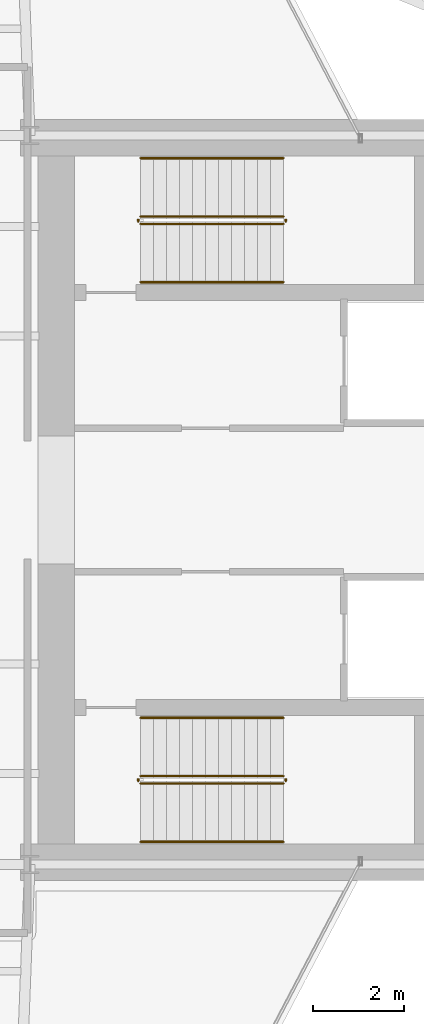
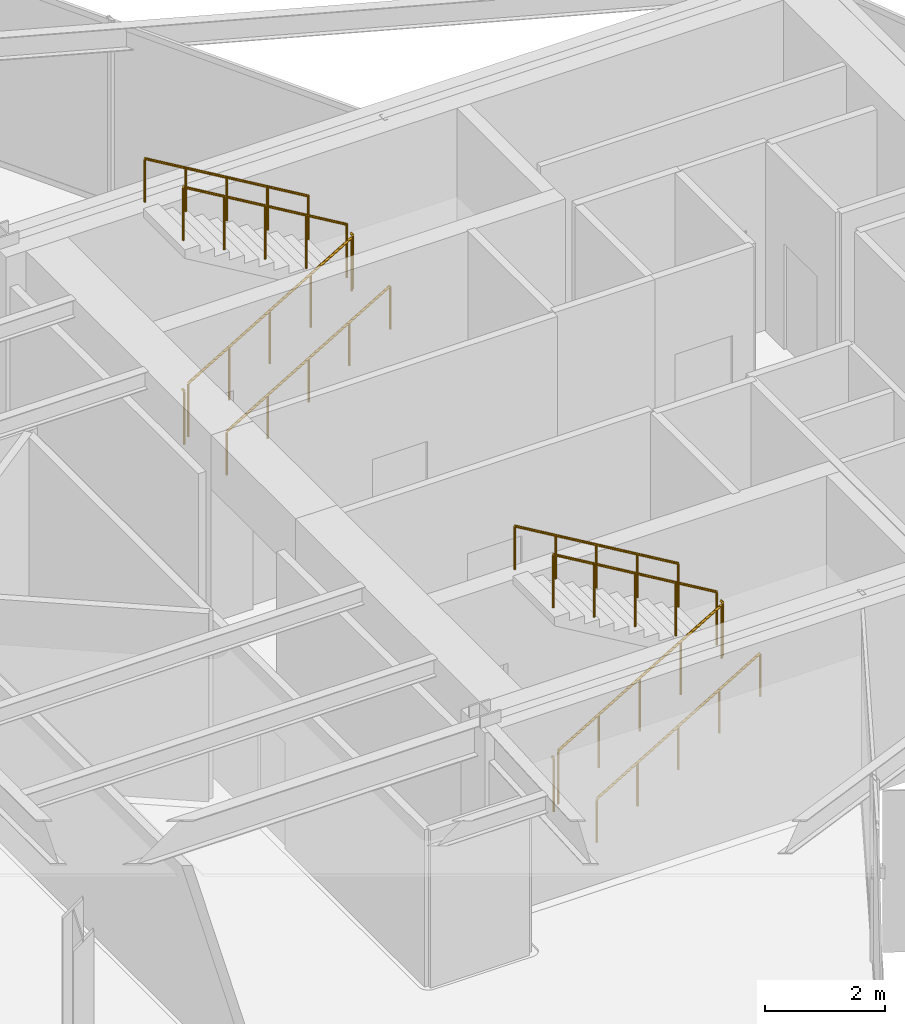
# One storey, part 25 of 25: 12 railings.
"""IFC4 building model written with IfcOpenShell, lengths in metres."""

from ifc_helpers import new_model, si_unit, direction, frame, origin, origin_2d, place, context, subcontext, project, spatial, circle, extrude, material, type_object, element, save


model = new_model("IFC4")

# Units and contexts
model_context = context("Model", 3, precision=1e-05, world=origin(), true_north=direction((0.0, 1.0)))
body_context = subcontext(model_context, "Body", "Model", "MODEL_VIEW")
ifc_project = project(units=[si_unit("LENGTHUNIT", "METRE"), si_unit("AREAUNIT", "SQUARE_METRE"), si_unit("VOLUMEUNIT", "CUBIC_METRE"), si_unit("PLANEANGLEUNIT", "RADIAN"), si_unit("MASSUNIT", "GRAM", prefix="KILO")], contexts=[model_context])

# Site, building, storey
site_placement = place(None, origin())
site = spatial("IfcSite", under=ifc_project, at=site_placement, CompositionType="ELEMENT")
building_placement = place(site_placement, origin())
building = spatial("IfcBuilding", under=site, at=building_placement, Name="Veymaron Broadcast Tower", CompositionType="ELEMENT")
storey_placement = place(building_placement, frame((0.0, 0.0, 145.199951171875)))
storey = spatial("IfcBuildingStorey", under=building, at=storey_placement, Name="L33", CompositionType="ELEMENT", Elevation=145.199951171875)

# Railings
ifc_material_1 = material(Name="Brushed stainless steel AISI 304", Category="steel")
railing_type_1 = type_object("IfcRailingType", Name="RAIL-STAIR-HR", PredefinedType="HANDRAIL", material=ifc_material_1)
railing_1_placement = place(storey_placement, frame((41.429931640625, 28.780029296875, 0.168701171875)))
element("IfcRailing", 1, at=railing_1_placement, inside=storey, type_object=railing_type_1, Name="L33 ST1 stair handrail 1", PredefinedType="HANDRAIL", context=body_context, shape_type="SweptSolid", body=[
    extrude(circle(Radius=0.02392578125, at=origin_2d()), frame((0.0, 0.0, 0.8759765625), z_axis=(0.860452582533, 0.0, 0.509530522356), x_axis=(0.0, 1.0, 0.0)), (0.0, 0.0, 1.0), 3.6435546875),
    extrude(circle(Radius=0.02099609375, at=origin_2d()), origin(), (0.0, 0.0, 1.0), 0.851806640625),
    extrude(circle(Radius=0.02099609375, at=origin_2d()), frame((0.78369140625, 0.0, 0.464111328125)), (0.0, 0.0, 1.0), 0.851806640625),
    extrude(circle(Radius=0.02099609375, at=origin_2d()), frame((1.5673828125, 0.0, 0.92822265625)), (0.0, 0.0, 1.0), 0.851806640625),
    extrude(circle(Radius=0.02099609375, at=origin_2d()), frame((2.351318359375, 0.0, 1.392333984375)), (0.0, 0.0, 1.0), 0.851806640625),
    extrude(circle(Radius=0.02099609375, at=origin_2d()), frame((3.135009765625, 0.0, 1.8564453125)), (0.0, 0.0, 1.0), 0.851806640625),
])
railing_2_placement = place(storey_placement, frame((44.56494140625, 31.5, 2.19384765625)))
element("IfcRailing", 2, at=railing_2_placement, inside=storey, type_object=railing_type_1, Name="L33 ST1 stair handrail 2", PredefinedType="HANDRAIL", context=body_context, shape_type="SweptSolid", body=[
    extrude(circle(Radius=0.02392578125, at=origin_2d()), frame((0.0, 0.0, 0.8759765625), z_axis=(-0.860481960309, 0.0, 0.509480908359), x_axis=(0.0, -1.0, 0.0)), (0.0, 0.0, 1.0), 3.643310546875),
    extrude(circle(Radius=0.02099609375, at=origin_2d()), origin(), (0.0, 0.0, 1.0), 0.851806640625),
    extrude(circle(Radius=0.02099609375, at=origin_2d()), frame((-0.78369140625, 0.0, 0.464111328125)), (0.0, 0.0, 1.0), 0.851806640625),
    extrude(circle(Radius=0.02099609375, at=origin_2d()), frame((-1.5673828125, 0.0, 0.92822265625)), (0.0, 0.0, 1.0), 0.851806640625),
    extrude(circle(Radius=0.02099609375, at=origin_2d()), frame((-2.351318359375, 0.0, 1.39208984375)), (0.0, 0.0, 1.0), 0.851806640625),
    extrude(circle(Radius=0.02099609375, at=origin_2d()), frame((-3.135009765625, 0.0, 1.856201171875)), (0.0, 0.0, 1.0), 0.851806640625),
])
railing_3_placement = place(storey_placement, frame((41.429931640625, 16.5, 0.168701171875)))
element("IfcRailing", 3, at=railing_3_placement, inside=storey, type_object=railing_type_1, Name="L33 ST2 stair handrail 1", PredefinedType="HANDRAIL", context=body_context, shape_type="SweptSolid", body=[
    extrude(circle(Radius=0.02392578125, at=origin_2d()), frame((0.0, 0.0, 0.8759765625), z_axis=(0.860452582533, 0.0, 0.509530522356), x_axis=(0.0, 1.0, 0.0)), (0.0, 0.0, 1.0), 3.6435546875),
    extrude(circle(Radius=0.02099609375, at=origin_2d()), origin(), (0.0, 0.0, 1.0), 0.851806640625),
    extrude(circle(Radius=0.02099609375, at=origin_2d()), frame((0.78369140625, 0.0, 0.464111328125)), (0.0, 0.0, 1.0), 0.851806640625),
    extrude(circle(Radius=0.02099609375, at=origin_2d()), frame((1.5673828125, 0.0, 0.92822265625)), (0.0, 0.0, 1.0), 0.851806640625),
    extrude(circle(Radius=0.02099609375, at=origin_2d()), frame((2.351318359375, 0.0, 1.392333984375)), (0.0, 0.0, 1.0), 0.851806640625),
    extrude(circle(Radius=0.02099609375, at=origin_2d()), frame((3.135009765625, 0.0, 1.8564453125)), (0.0, 0.0, 1.0), 0.851806640625),
])
railing_4_placement = place(storey_placement, frame((44.56494140625, 19.219970703125, 2.19384765625)))
element("IfcRailing", 4, at=railing_4_placement, inside=storey, type_object=railing_type_1, Name="L33 ST2 stair handrail 2", PredefinedType="HANDRAIL", context=body_context, shape_type="SweptSolid", body=[
    extrude(circle(Radius=0.02392578125, at=origin_2d()), frame((0.0, 0.0, 0.8759765625), z_axis=(-0.860481960309, 0.0, 0.509480908359), x_axis=(0.0, -1.0, 0.0)), (0.0, 0.0, 1.0), 3.643310546875),
    extrude(circle(Radius=0.02099609375, at=origin_2d()), origin(), (0.0, 0.0, 1.0), 0.851806640625),
    extrude(circle(Radius=0.02099609375, at=origin_2d()), frame((-0.78369140625, 0.0, 0.464111328125)), (0.0, 0.0, 1.0), 0.851806640625),
    extrude(circle(Radius=0.02099609375, at=origin_2d()), frame((-1.5673828125, 0.0, 0.92822265625)), (0.0, 0.0, 1.0), 0.851806640625),
    extrude(circle(Radius=0.02099609375, at=origin_2d()), frame((-2.351318359375, 0.0, 1.39208984375)), (0.0, 0.0, 1.0), 0.851806640625),
    extrude(circle(Radius=0.02099609375, at=origin_2d()), frame((-3.135009765625, 0.0, 1.856201171875)), (0.0, 0.0, 1.0), 0.851806640625),
])
ifc_material_2 = material(Name="Painted galvanized steel balustrade", Category="steel")
railing_type_2 = type_object("IfcRailingType", Name="RAIL-WELL-GRD", PredefinedType="GUARDRAIL", material=ifc_material_2)
railing_5_placement = place(storey_placement, frame((41.429931640625, 30.06005859375, 0.168701171875)))
element("IfcRailing", 5, at=railing_5_placement, inside=storey, type_object=railing_type_2, Name="L33 ST1 stair guard 1", PredefinedType="GUARDRAIL", context=body_context, shape_type="SweptSolid", body=[
    extrude(circle(Radius=0.02392578125, at=origin_2d()), frame((0.0, 0.0, 1.076171875), z_axis=(0.860452582533, 0.0, 0.509530522356), x_axis=(0.0, 1.0, 0.0)), (0.0, 0.0, 1.0), 3.6435546875),
    extrude(circle(Radius=0.02099609375, at=origin_2d()), origin(), (0.0, 0.0, 1.0), 1.052001953125),
    extrude(circle(Radius=0.02099609375, at=origin_2d()), frame((0.78369140625, 0.0, 0.464111328125)), (0.0, 0.0, 1.0), 1.052001953125),
    extrude(circle(Radius=0.02099609375, at=origin_2d()), frame((1.5673828125, 0.0, 0.92822265625)), (0.0, 0.0, 1.0), 1.052001953125),
    extrude(circle(Radius=0.02099609375, at=origin_2d()), frame((2.351318359375, 0.0, 1.392333984375)), (0.0, 0.0, 1.0), 1.052001953125),
    extrude(circle(Radius=0.02099609375, at=origin_2d()), frame((3.135009765625, 0.0, 1.8564453125)), (0.0, 0.0, 1.0), 1.052001953125),
])
railing_6_placement = place(storey_placement, frame((44.614990234375, 30.110107421875, 2.025146484375)))
element("IfcRailing", 6, at=railing_6_placement, inside=storey, type_object=railing_type_2, Name="L33 ST1 stair guard 2", PredefinedType="GUARDRAIL", context=body_context, shape_type="SweptSolid", body=[
    extrude(circle(Radius=0.02392578125, at=origin_2d()), frame((0.0, 0.0, 1.076171875), z_axis=(0.0, 1.0, 0.0), x_axis=(-1.0, 0.0, 0.0)), (0.0, 0.0, 1.0), 0.059814453125),
    extrude(circle(Radius=0.02099609375, at=origin_2d()), origin(), (0.0, 0.0, 1.0), 1.052001953125),
])
railing_7_placement = place(storey_placement, frame((44.56494140625, 30.219970703125, 2.19384765625)))
element("IfcRailing", 7, at=railing_7_placement, inside=storey, type_object=railing_type_2, Name="L33 ST1 stair guard 3", PredefinedType="GUARDRAIL", context=body_context, shape_type="SweptSolid", body=[
    extrude(circle(Radius=0.02392578125, at=origin_2d()), frame((0.0, 0.0, 1.076171875), z_axis=(-0.860481960309, 0.0, 0.509480908359), x_axis=(0.0, -1.0, 0.0)), (0.0, 0.0, 1.0), 3.643310546875),
    extrude(circle(Radius=0.02099609375, at=origin_2d()), origin(), (0.0, 0.0, 1.0), 1.052001953125),
    extrude(circle(Radius=0.02099609375, at=origin_2d()), frame((-0.78369140625, 0.0, 0.464111328125)), (0.0, 0.0, 1.0), 1.052001953125),
    extrude(circle(Radius=0.02099609375, at=origin_2d()), frame((-1.5673828125, 0.0, 0.92822265625)), (0.0, 0.0, 1.0), 1.052001953125),
    extrude(circle(Radius=0.02099609375, at=origin_2d()), frame((-2.351318359375, 0.0, 1.39208984375)), (0.0, 0.0, 1.0), 1.052001953125),
    extrude(circle(Radius=0.02099609375, at=origin_2d()), frame((-3.135009765625, 0.0, 1.856201171875)), (0.0, 0.0, 1.0), 1.052001953125),
])
railing_8_placement = place(storey_placement, frame((41.3798828125, 30.110107421875, 0.0)))
element("IfcRailing", 8, at=railing_8_placement, inside=storey, type_object=railing_type_2, Name="L33 ST1 stair guard 4", PredefinedType="GUARDRAIL", context=body_context, shape_type="SweptSolid", body=[
    extrude(circle(Radius=0.02392578125, at=origin_2d()), frame((0.0, 0.0, 1.076171875), z_axis=(0.0, 1.0, 0.0), x_axis=(-1.0, 0.0, 0.0)), (0.0, 0.0, 1.0), 0.059814453125),
    extrude(circle(Radius=0.02099609375, at=origin_2d()), origin(), (0.0, 0.0, 1.0), 1.052001953125),
])
railing_9_placement = place(storey_placement, frame((41.429931640625, 17.780029296875, 0.168701171875)))
element("IfcRailing", 9, at=railing_9_placement, inside=storey, type_object=railing_type_2, Name="L33 ST2 stair guard 1", PredefinedType="GUARDRAIL", context=body_context, shape_type="SweptSolid", body=[
    extrude(circle(Radius=0.02392578125, at=origin_2d()), frame((0.0, 0.0, 1.076171875), z_axis=(0.860452582533, 0.0, 0.509530522356), x_axis=(0.0, 1.0, 0.0)), (0.0, 0.0, 1.0), 3.6435546875),
    extrude(circle(Radius=0.02099609375, at=origin_2d()), origin(), (0.0, 0.0, 1.0), 1.052001953125),
    extrude(circle(Radius=0.02099609375, at=origin_2d()), frame((0.78369140625, 0.0, 0.464111328125)), (0.0, 0.0, 1.0), 1.052001953125),
    extrude(circle(Radius=0.02099609375, at=origin_2d()), frame((1.5673828125, 0.0, 0.92822265625)), (0.0, 0.0, 1.0), 1.052001953125),
    extrude(circle(Radius=0.02099609375, at=origin_2d()), frame((2.351318359375, 0.0, 1.392333984375)), (0.0, 0.0, 1.0), 1.052001953125),
    extrude(circle(Radius=0.02099609375, at=origin_2d()), frame((3.135009765625, 0.0, 1.8564453125)), (0.0, 0.0, 1.0), 1.052001953125),
])
railing_10_placement = place(storey_placement, frame((44.614990234375, 17.830078125, 2.025146484375)))
element("IfcRailing", 10, at=railing_10_placement, inside=storey, type_object=railing_type_2, Name="L33 ST2 stair guard 2", PredefinedType="GUARDRAIL", context=body_context, shape_type="SweptSolid", body=[
    extrude(circle(Radius=0.02392578125, at=origin_2d()), frame((0.0, 0.0, 1.076171875), z_axis=(0.0, 1.0, 0.0), x_axis=(-1.0, 0.0, 0.0)), (0.0, 0.0, 1.0), 0.059814453125),
    extrude(circle(Radius=0.02099609375, at=origin_2d()), origin(), (0.0, 0.0, 1.0), 1.052001953125),
])
railing_11_placement = place(storey_placement, frame((44.56494140625, 17.93994140625, 2.19384765625)))
element("IfcRailing", 11, at=railing_11_placement, inside=storey, type_object=railing_type_2, Name="L33 ST2 stair guard 3", PredefinedType="GUARDRAIL", context=body_context, shape_type="SweptSolid", body=[
    extrude(circle(Radius=0.02392578125, at=origin_2d()), frame((0.0, 0.0, 1.076171875), z_axis=(-0.860481960309, 0.0, 0.509480908359), x_axis=(0.0, -1.0, 0.0)), (0.0, 0.0, 1.0), 3.643310546875),
    extrude(circle(Radius=0.02099609375, at=origin_2d()), origin(), (0.0, 0.0, 1.0), 1.052001953125),
    extrude(circle(Radius=0.02099609375, at=origin_2d()), frame((-0.78369140625, 0.0, 0.464111328125)), (0.0, 0.0, 1.0), 1.052001953125),
    extrude(circle(Radius=0.02099609375, at=origin_2d()), frame((-1.5673828125, 0.0, 0.92822265625)), (0.0, 0.0, 1.0), 1.052001953125),
    extrude(circle(Radius=0.02099609375, at=origin_2d()), frame((-2.351318359375, 0.0, 1.39208984375)), (0.0, 0.0, 1.0), 1.052001953125),
    extrude(circle(Radius=0.02099609375, at=origin_2d()), frame((-3.135009765625, 0.0, 1.856201171875)), (0.0, 0.0, 1.0), 1.052001953125),
])
railing_12_placement = place(storey_placement, frame((41.3798828125, 17.830078125, 0.0)))
element("IfcRailing", 12, at=railing_12_placement, inside=storey, type_object=railing_type_2, Name="L33 ST2 stair guard 4", PredefinedType="GUARDRAIL", context=body_context, shape_type="SweptSolid", body=[
    extrude(circle(Radius=0.02392578125, at=origin_2d()), frame((0.0, 0.0, 1.076171875), z_axis=(0.0, 1.0, 0.0), x_axis=(-1.0, 0.0, 0.0)), (0.0, 0.0, 1.0), 0.059814453125),
    extrude(circle(Radius=0.02099609375, at=origin_2d()), origin(), (0.0, 0.0, 1.0), 1.052001953125),
])

save(model, "model.ifc")
